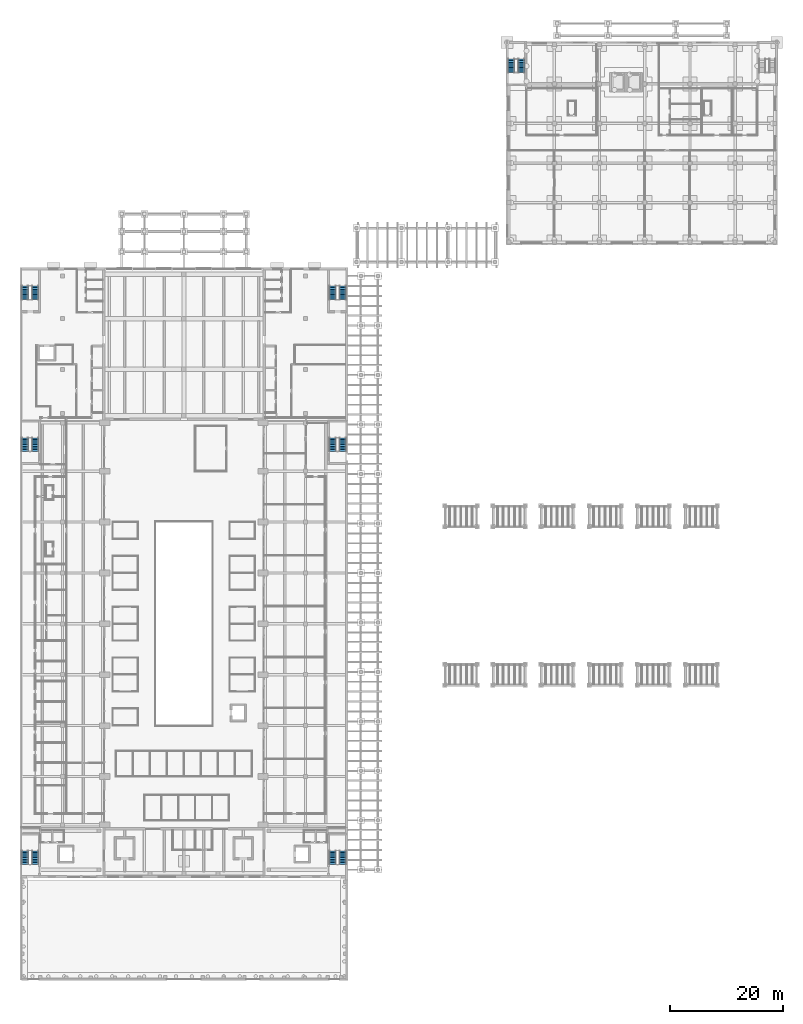
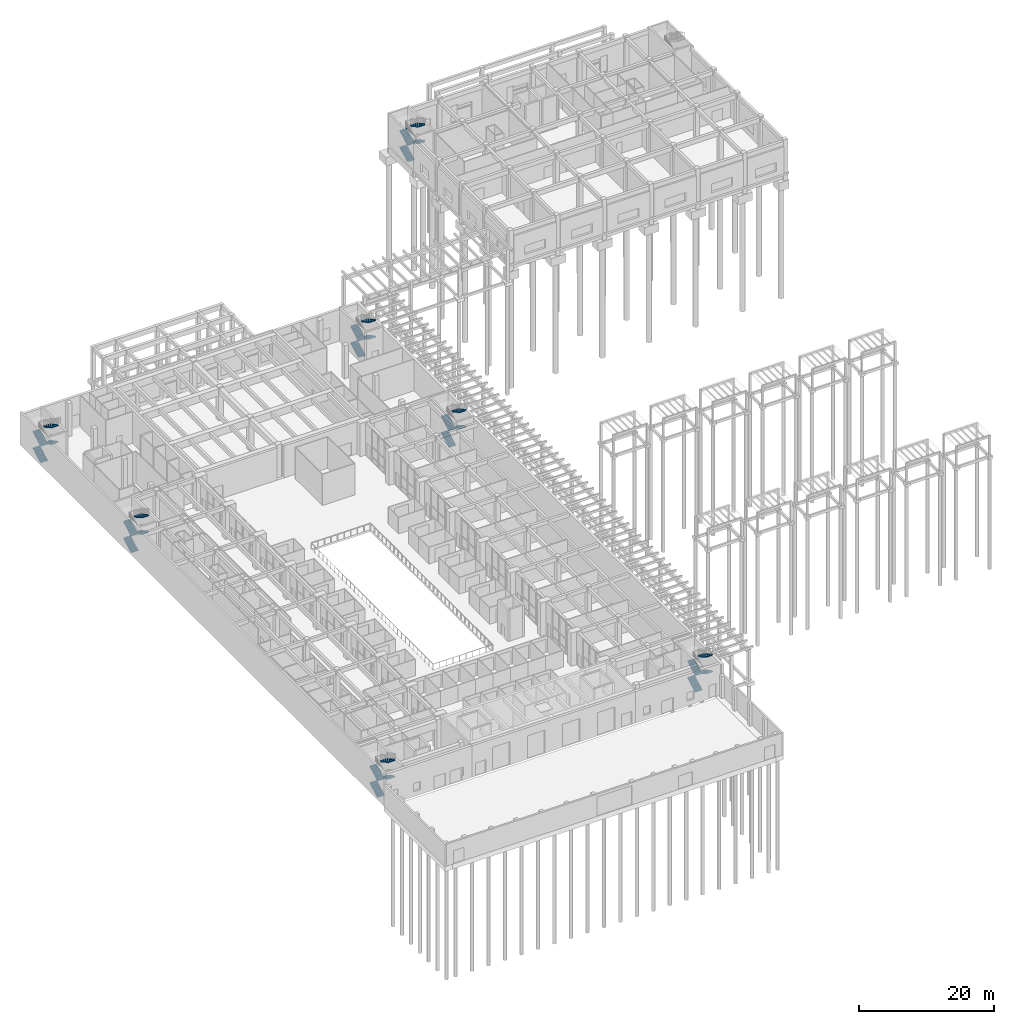
# One storey, part 44 of 51: 28 stair flights, 7 elements without a shape of their own.
"""IFC4 building model written with IfcOpenShell, lengths in metres."""

from ifc_helpers import new_model, si_unit, direction, frame, origin, place, context, subcontext, project, spatial, polyline, outline, extrude, material, type_object, element, aggregate, save


model = new_model("IFC4")

# Units and contexts
model_context = context("Model", 3, precision=1e-05, world=origin(), true_north=direction((0.0, 1.0)))
body_context = subcontext(model_context, "Body", "Model", "MODEL_VIEW")
ifc_project = project(units=[si_unit("LENGTHUNIT", "METRE"), si_unit("AREAUNIT", "SQUARE_METRE"), si_unit("VOLUMEUNIT", "CUBIC_METRE"), si_unit("PLANEANGLEUNIT", "RADIAN"), si_unit("MASSUNIT", "GRAM", prefix="KILO")], contexts=[model_context])

# Site, building, storey
site_placement = place(None, origin())
site = spatial("IfcSite", under=ifc_project, at=site_placement, CompositionType="ELEMENT")
building_placement = place(site_placement, origin())
building = spatial("IfcBuilding", under=site, at=building_placement, Name="Elmora Arch Market Hall", CompositionType="ELEMENT")
storey_placement = place(building_placement, origin())
storey = spatial("IfcBuildingStorey", under=building, at=storey_placement, Name="L00", CompositionType="ELEMENT", Elevation=0.0)

# Stair, stair flights
ifc_material_1 = material(Name="Concrete C40/50", Category="concrete")
stair_type = type_object("IfcStairType", Name="Exit stair 1200", PredefinedType="TWO_STRAIGHT_RUN_STAIR", material=ifc_material_1)
stair_1_placement = place(storey_placement, origin())
stair_1 = element("IfcStair", 1, at=stair_1_placement, inside=storey, type_object=stair_type, Name="Stair ST-W L00", PredefinedType="TWO_STRAIGHT_RUN_STAIR")
ifc_material_2 = material(Name="Concrete C40/50", Category="concrete")
stair_flight_type = type_object("IfcStairFlightType", Name="Stair flight 1200", PredefinedType="STRAIGHT", material=ifc_material_2)
stair_flight_1_placement = place(storey_placement, frame((0.89990234375, 120.35009765625, 0.0), z_axis=(0.0, 0.0, 1.0), x_axis=(0.0, 1.0, 0.0)))
stair_flight_1 = element("IfcStairFlight", 2, at=stair_flight_1_placement, type_object=stair_flight_type, Name="Stair ST-W L00 flight 1", NumberOfRisers=9, NumberOfTreads=8, PredefinedType="STRAIGHT", RiserHeight=0.166666667, TreadLength=0.3, context=body_context, shape_type="SweptSolid", body=[
    extrude(outline(polyline([(0.0, 0.0), (0.0, 0.166748046875), (0.300048828125, 0.166748046875), (0.300048828125, 0.333251953125), (0.60009765625, 0.333251953125), (0.60009765625, 0.5), (0.89990234375, 0.5), (0.89990234375, 0.666748046875), (1.199951171875, 0.666748046875), (1.199951171875, 0.833251953125), (1.5, 0.833251953125), (1.5, 1.0), (1.800048828125, 1.0), (1.800048828125, 1.166748046875), (2.10009765625, 1.166748046875), (2.10009765625, 1.333251953125), (2.39990234375, 1.333251953125), (2.39990234375, 1.5), (2.39990234375, 1.161865234375), (0.30859375, 0.0), (0.0, 0.0)])), frame((0.0, 0.60009765625, 0.0), z_axis=(0.0, -1.0, 0.0), x_axis=(1.0, 0.0, 0.0)), (0.0, 0.0, 1.0), 1.199951171875),
])
stair_flight_2_placement = place(storey_placement, frame((2.699951171875, 122.75, 1.5), z_axis=(0.0, 0.0, 1.0), x_axis=(0.0, -1.0, 0.0)))
stair_flight_2 = element("IfcStairFlight", 3, at=stair_flight_2_placement, type_object=stair_flight_type, Name="Stair ST-W L00 flight 2", NumberOfRisers=9, NumberOfTreads=8, PredefinedType="STRAIGHT", RiserHeight=0.166666667, TreadLength=0.3, context=body_context, shape_type="SweptSolid", body=[
    extrude(outline(polyline([(0.0, 0.0), (0.0, 0.166748046875), (0.300048828125, 0.166748046875), (0.300048828125, 0.333251953125), (0.60009765625, 0.333251953125), (0.60009765625, 0.5), (0.89990234375, 0.5), (0.89990234375, 0.666748046875), (1.199951171875, 0.666748046875), (1.199951171875, 0.833251953125), (1.5, 0.833251953125), (1.5, 1.0), (1.800048828125, 1.0), (1.800048828125, 1.166748046875), (2.10009765625, 1.166748046875), (2.10009765625, 1.333251953125), (2.39990234375, 1.333251953125), (2.39990234375, 1.5), (2.39990234375, 1.161865234375), (0.30859375, 0.0), (0.0, 0.0)])), frame((0.0, 0.60009765625, 0.0), z_axis=(0.0, -1.0, 0.0), x_axis=(1.0, 0.0, 0.0)), (0.0, 0.0, 1.0), 1.199951171875),
])
stair_flight_3_placement = place(storey_placement, frame((0.89990234375, 120.35009765625, 3.0), z_axis=(0.0, 0.0, 1.0), x_axis=(0.0, 1.0, 0.0)))
stair_flight_3 = element("IfcStairFlight", 4, at=stair_flight_3_placement, type_object=stair_flight_type, Name="Stair ST-W L00 flight 3", NumberOfRisers=9, NumberOfTreads=8, PredefinedType="STRAIGHT", RiserHeight=0.166666667, TreadLength=0.3, context=body_context, shape_type="SweptSolid", body=[
    extrude(outline(polyline([(0.0, 0.0), (0.0, 0.166748046875), (0.300048828125, 0.166748046875), (0.300048828125, 0.333251953125), (0.60009765625, 0.333251953125), (0.60009765625, 0.5), (0.89990234375, 0.5), (0.89990234375, 0.666748046875), (1.199951171875, 0.666748046875), (1.199951171875, 0.833251953125), (1.5, 0.833251953125), (1.5, 1.0), (1.800048828125, 1.0), (1.800048828125, 1.166748046875), (2.10009765625, 1.166748046875), (2.10009765625, 1.333251953125), (2.39990234375, 1.333251953125), (2.39990234375, 1.5), (2.39990234375, 1.161865234375), (0.30859375, 0.0), (0.0, 0.0)])), frame((0.0, 0.60009765625, 0.0), z_axis=(0.0, -1.0, 0.0), x_axis=(1.0, 0.0, 0.0)), (0.0, 0.0, 1.0), 1.199951171875),
])
stair_flight_4_placement = place(storey_placement, frame((2.699951171875, 122.75, 4.5), z_axis=(0.0, 0.0, 1.0), x_axis=(0.0, -1.0, 0.0)))
stair_flight_4 = element("IfcStairFlight", 5, at=stair_flight_4_placement, type_object=stair_flight_type, Name="Stair ST-W L00 flight 4", NumberOfRisers=9, NumberOfTreads=8, PredefinedType="STRAIGHT", RiserHeight=0.166666667, TreadLength=0.3, context=body_context, shape_type="SweptSolid", body=[
    extrude(outline(polyline([(0.0, 0.0), (0.0, 0.166748046875), (0.300048828125, 0.166748046875), (0.300048828125, 0.333251953125), (0.60009765625, 0.333251953125), (0.60009765625, 0.5), (0.89990234375, 0.5), (0.89990234375, 0.666748046875), (1.199951171875, 0.666748046875), (1.199951171875, 0.833251953125), (1.5, 0.833251953125), (1.5, 1.0), (1.800048828125, 1.0), (1.800048828125, 1.166748046875), (2.10009765625, 1.166748046875), (2.10009765625, 1.333251953125), (2.39990234375, 1.333251953125), (2.39990234375, 1.5), (2.39990234375, 1.161865234375), (0.30859375, 0.0), (0.0, 0.0)])), frame((0.0, 0.60009765625, 0.0), z_axis=(0.0, -1.0, 0.0), x_axis=(1.0, 0.0, 0.0)), (0.0, 0.0, 1.0), 1.199951171875),
])
aggregate(stair_1, [stair_flight_1, stair_flight_2, stair_flight_3, stair_flight_4])

stair_2_placement = place(storey_placement, origin())
stair_2 = element("IfcStair", 6, at=stair_2_placement, inside=storey, type_object=stair_type, Name="Stair ST-E L00", PredefinedType="TWO_STRAIGHT_RUN_STAIR")
stair_flight_5_placement = place(storey_placement, frame((55.300048828125, 120.35009765625, 0.0), z_axis=(0.0, 0.0, 1.0), x_axis=(0.0, 1.0, 0.0)))
stair_flight_5 = element("IfcStairFlight", 7, at=stair_flight_5_placement, type_object=stair_flight_type, Name="Stair ST-E L00 flight 1", NumberOfRisers=9, NumberOfTreads=8, PredefinedType="STRAIGHT", RiserHeight=0.166666667, TreadLength=0.3, context=body_context, shape_type="SweptSolid", body=[
    extrude(outline(polyline([(0.0, 0.0), (0.0, 0.166748046875), (0.300048828125, 0.166748046875), (0.300048828125, 0.333251953125), (0.60009765625, 0.333251953125), (0.60009765625, 0.5), (0.89990234375, 0.5), (0.89990234375, 0.666748046875), (1.199951171875, 0.666748046875), (1.199951171875, 0.833251953125), (1.5, 0.833251953125), (1.5, 1.0), (1.800048828125, 1.0), (1.800048828125, 1.166748046875), (2.10009765625, 1.166748046875), (2.10009765625, 1.333251953125), (2.39990234375, 1.333251953125), (2.39990234375, 1.5), (2.39990234375, 1.161865234375), (0.30859375, 0.0), (0.0, 0.0)])), frame((0.0, 0.60009765625, 0.0), z_axis=(0.0, -1.0, 0.0), x_axis=(1.0, 0.0, 0.0)), (0.0, 0.0, 1.0), 1.199951171875),
])
stair_flight_6_placement = place(storey_placement, frame((57.10009765625, 122.75, 1.5), z_axis=(0.0, 0.0, 1.0), x_axis=(0.0, -1.0, 0.0)))
stair_flight_6 = element("IfcStairFlight", 8, at=stair_flight_6_placement, type_object=stair_flight_type, Name="Stair ST-E L00 flight 2", NumberOfRisers=9, NumberOfTreads=8, PredefinedType="STRAIGHT", RiserHeight=0.166666667, TreadLength=0.3, context=body_context, shape_type="SweptSolid", body=[
    extrude(outline(polyline([(0.0, 0.0), (0.0, 0.166748046875), (0.300048828125, 0.166748046875), (0.300048828125, 0.333251953125), (0.60009765625, 0.333251953125), (0.60009765625, 0.5), (0.89990234375, 0.5), (0.89990234375, 0.666748046875), (1.199951171875, 0.666748046875), (1.199951171875, 0.833251953125), (1.5, 0.833251953125), (1.5, 1.0), (1.800048828125, 1.0), (1.800048828125, 1.166748046875), (2.10009765625, 1.166748046875), (2.10009765625, 1.333251953125), (2.39990234375, 1.333251953125), (2.39990234375, 1.5), (2.39990234375, 1.161865234375), (0.30859375, 0.0), (0.0, 0.0)])), frame((0.0, 0.60009765625, 0.0), z_axis=(0.0, -1.0, 0.0), x_axis=(1.0, 0.0, 0.0)), (0.0, 0.0, 1.0), 1.199951171875),
])
stair_flight_7_placement = place(storey_placement, frame((55.300048828125, 120.35009765625, 3.0), z_axis=(0.0, 0.0, 1.0), x_axis=(0.0, 1.0, 0.0)))
stair_flight_7 = element("IfcStairFlight", 9, at=stair_flight_7_placement, type_object=stair_flight_type, Name="Stair ST-E L00 flight 3", NumberOfRisers=9, NumberOfTreads=8, PredefinedType="STRAIGHT", RiserHeight=0.166666667, TreadLength=0.3, context=body_context, shape_type="SweptSolid", body=[
    extrude(outline(polyline([(0.0, 0.0), (0.0, 0.166748046875), (0.300048828125, 0.166748046875), (0.300048828125, 0.333251953125), (0.60009765625, 0.333251953125), (0.60009765625, 0.5), (0.89990234375, 0.5), (0.89990234375, 0.666748046875), (1.199951171875, 0.666748046875), (1.199951171875, 0.833251953125), (1.5, 0.833251953125), (1.5, 1.0), (1.800048828125, 1.0), (1.800048828125, 1.166748046875), (2.10009765625, 1.166748046875), (2.10009765625, 1.333251953125), (2.39990234375, 1.333251953125), (2.39990234375, 1.5), (2.39990234375, 1.161865234375), (0.30859375, 0.0), (0.0, 0.0)])), frame((0.0, 0.60009765625, 0.0), z_axis=(0.0, -1.0, 0.0), x_axis=(1.0, 0.0, 0.0)), (0.0, 0.0, 1.0), 1.199951171875),
])
stair_flight_8_placement = place(storey_placement, frame((57.10009765625, 122.75, 4.5), z_axis=(0.0, 0.0, 1.0), x_axis=(0.0, -1.0, 0.0)))
stair_flight_8 = element("IfcStairFlight", 10, at=stair_flight_8_placement, type_object=stair_flight_type, Name="Stair ST-E L00 flight 4", NumberOfRisers=9, NumberOfTreads=8, PredefinedType="STRAIGHT", RiserHeight=0.166666667, TreadLength=0.3, context=body_context, shape_type="SweptSolid", body=[
    extrude(outline(polyline([(0.0, 0.0), (0.0, 0.166748046875), (0.300048828125, 0.166748046875), (0.300048828125, 0.333251953125), (0.60009765625, 0.333251953125), (0.60009765625, 0.5), (0.89990234375, 0.5), (0.89990234375, 0.666748046875), (1.199951171875, 0.666748046875), (1.199951171875, 0.833251953125), (1.5, 0.833251953125), (1.5, 1.0), (1.800048828125, 1.0), (1.800048828125, 1.166748046875), (2.10009765625, 1.166748046875), (2.10009765625, 1.333251953125), (2.39990234375, 1.333251953125), (2.39990234375, 1.5), (2.39990234375, 1.161865234375), (0.30859375, 0.0), (0.0, 0.0)])), frame((0.0, 0.60009765625, 0.0), z_axis=(0.0, -1.0, 0.0), x_axis=(1.0, 0.0, 0.0)), (0.0, 0.0, 1.0), 1.199951171875),
])
aggregate(stair_2, [stair_flight_5, stair_flight_6, stair_flight_7, stair_flight_8])

stair_3_placement = place(storey_placement, origin())
stair_3 = element("IfcStair", 11, at=stair_3_placement, inside=storey, type_object=stair_type, Name="Stair ST-WS L00", PredefinedType="TWO_STRAIGHT_RUN_STAIR")
stair_flight_9_placement = place(storey_placement, frame((0.89990234375, 20.449951171875, 0.0), z_axis=(0.0, 0.0, 1.0), x_axis=(0.0, 1.0, 0.0)))
stair_flight_9 = element("IfcStairFlight", 12, at=stair_flight_9_placement, type_object=stair_flight_type, Name="Stair ST-WS L00 flight 1", NumberOfRisers=9, NumberOfTreads=8, PredefinedType="STRAIGHT", RiserHeight=0.166666667, TreadLength=0.3, context=body_context, shape_type="SweptSolid", body=[
    extrude(outline(polyline([(0.0, 0.0), (0.0, 0.166748046875), (0.300048828125, 0.166748046875), (0.300048828125, 0.333251953125), (0.60009765625, 0.333251953125), (0.60009765625, 0.5), (0.89990234375, 0.5), (0.89990234375, 0.666748046875), (1.199951171875, 0.666748046875), (1.199951171875, 0.833251953125), (1.5, 0.833251953125), (1.5, 1.0), (1.800048828125, 1.0), (1.800048828125, 1.166748046875), (2.10009765625, 1.166748046875), (2.10009765625, 1.333251953125), (2.39990234375, 1.333251953125), (2.39990234375, 1.5), (2.39990234375, 1.161865234375), (0.30859375, 0.0), (0.0, 0.0)])), frame((0.0, 0.60009765625, 0.0), z_axis=(0.0, -1.0, 0.0), x_axis=(1.0, 0.0, 0.0)), (0.0, 0.0, 1.0), 1.199951171875),
])
stair_flight_10_placement = place(storey_placement, frame((2.699951171875, 22.85009765625, 1.5), z_axis=(0.0, 0.0, 1.0), x_axis=(0.0, -1.0, 0.0)))
stair_flight_10 = element("IfcStairFlight", 13, at=stair_flight_10_placement, type_object=stair_flight_type, Name="Stair ST-WS L00 flight 2", NumberOfRisers=9, NumberOfTreads=8, PredefinedType="STRAIGHT", RiserHeight=0.166666667, TreadLength=0.3, context=body_context, shape_type="SweptSolid", body=[
    extrude(outline(polyline([(0.0, 0.0), (0.0, 0.166748046875), (0.300048828125, 0.166748046875), (0.300048828125, 0.333251953125), (0.60009765625, 0.333251953125), (0.60009765625, 0.5), (0.89990234375, 0.5), (0.89990234375, 0.666748046875), (1.199951171875, 0.666748046875), (1.199951171875, 0.833251953125), (1.5, 0.833251953125), (1.5, 1.0), (1.800048828125, 1.0), (1.800048828125, 1.166748046875), (2.10009765625, 1.166748046875), (2.10009765625, 1.333251953125), (2.39990234375, 1.333251953125), (2.39990234375, 1.5), (2.39990234375, 1.161865234375), (0.30859375, 0.0), (0.0, 0.0)])), frame((0.0, 0.60009765625, 0.0), z_axis=(0.0, -1.0, 0.0), x_axis=(1.0, 0.0, 0.0)), (0.0, 0.0, 1.0), 1.199951171875),
])
stair_flight_11_placement = place(storey_placement, frame((0.89990234375, 20.449951171875, 3.0), z_axis=(0.0, 0.0, 1.0), x_axis=(0.0, 1.0, 0.0)))
stair_flight_11 = element("IfcStairFlight", 14, at=stair_flight_11_placement, type_object=stair_flight_type, Name="Stair ST-WS L00 flight 3", NumberOfRisers=9, NumberOfTreads=8, PredefinedType="STRAIGHT", RiserHeight=0.166666667, TreadLength=0.3, context=body_context, shape_type="SweptSolid", body=[
    extrude(outline(polyline([(0.0, 0.0), (0.0, 0.166748046875), (0.300048828125, 0.166748046875), (0.300048828125, 0.333251953125), (0.60009765625, 0.333251953125), (0.60009765625, 0.5), (0.89990234375, 0.5), (0.89990234375, 0.666748046875), (1.199951171875, 0.666748046875), (1.199951171875, 0.833251953125), (1.5, 0.833251953125), (1.5, 1.0), (1.800048828125, 1.0), (1.800048828125, 1.166748046875), (2.10009765625, 1.166748046875), (2.10009765625, 1.333251953125), (2.39990234375, 1.333251953125), (2.39990234375, 1.5), (2.39990234375, 1.161865234375), (0.30859375, 0.0), (0.0, 0.0)])), frame((0.0, 0.60009765625, 0.0), z_axis=(0.0, -1.0, 0.0), x_axis=(1.0, 0.0, 0.0)), (0.0, 0.0, 1.0), 1.199951171875),
])
stair_flight_12_placement = place(storey_placement, frame((2.699951171875, 22.85009765625, 4.5), z_axis=(0.0, 0.0, 1.0), x_axis=(0.0, -1.0, 0.0)))
stair_flight_12 = element("IfcStairFlight", 15, at=stair_flight_12_placement, type_object=stair_flight_type, Name="Stair ST-WS L00 flight 4", NumberOfRisers=9, NumberOfTreads=8, PredefinedType="STRAIGHT", RiserHeight=0.166666667, TreadLength=0.3, context=body_context, shape_type="SweptSolid", body=[
    extrude(outline(polyline([(0.0, 0.0), (0.0, 0.166748046875), (0.300048828125, 0.166748046875), (0.300048828125, 0.333251953125), (0.60009765625, 0.333251953125), (0.60009765625, 0.5), (0.89990234375, 0.5), (0.89990234375, 0.666748046875), (1.199951171875, 0.666748046875), (1.199951171875, 0.833251953125), (1.5, 0.833251953125), (1.5, 1.0), (1.800048828125, 1.0), (1.800048828125, 1.166748046875), (2.10009765625, 1.166748046875), (2.10009765625, 1.333251953125), (2.39990234375, 1.333251953125), (2.39990234375, 1.5), (2.39990234375, 1.161865234375), (0.30859375, 0.0), (0.0, 0.0)])), frame((0.0, 0.60009765625, 0.0), z_axis=(0.0, -1.0, 0.0), x_axis=(1.0, 0.0, 0.0)), (0.0, 0.0, 1.0), 1.199951171875),
])
aggregate(stair_3, [stair_flight_9, stair_flight_10, stair_flight_11, stair_flight_12])

stair_4_placement = place(storey_placement, origin())
stair_4 = element("IfcStair", 16, at=stair_4_placement, inside=storey, type_object=stair_type, Name="Stair ST-ES L00", PredefinedType="TWO_STRAIGHT_RUN_STAIR")
stair_flight_13_placement = place(storey_placement, frame((55.300048828125, 20.449951171875, 0.0), z_axis=(0.0, 0.0, 1.0), x_axis=(0.0, 1.0, 0.0)))
stair_flight_13 = element("IfcStairFlight", 17, at=stair_flight_13_placement, type_object=stair_flight_type, Name="Stair ST-ES L00 flight 1", NumberOfRisers=9, NumberOfTreads=8, PredefinedType="STRAIGHT", RiserHeight=0.166666667, TreadLength=0.3, context=body_context, shape_type="SweptSolid", body=[
    extrude(outline(polyline([(0.0, 0.0), (0.0, 0.166748046875), (0.300048828125, 0.166748046875), (0.300048828125, 0.333251953125), (0.60009765625, 0.333251953125), (0.60009765625, 0.5), (0.89990234375, 0.5), (0.89990234375, 0.666748046875), (1.199951171875, 0.666748046875), (1.199951171875, 0.833251953125), (1.5, 0.833251953125), (1.5, 1.0), (1.800048828125, 1.0), (1.800048828125, 1.166748046875), (2.10009765625, 1.166748046875), (2.10009765625, 1.333251953125), (2.39990234375, 1.333251953125), (2.39990234375, 1.5), (2.39990234375, 1.161865234375), (0.30859375, 0.0), (0.0, 0.0)])), frame((0.0, 0.60009765625, 0.0), z_axis=(0.0, -1.0, 0.0), x_axis=(1.0, 0.0, 0.0)), (0.0, 0.0, 1.0), 1.199951171875),
])
stair_flight_14_placement = place(storey_placement, frame((57.10009765625, 22.85009765625, 1.5), z_axis=(0.0, 0.0, 1.0), x_axis=(0.0, -1.0, 0.0)))
stair_flight_14 = element("IfcStairFlight", 18, at=stair_flight_14_placement, type_object=stair_flight_type, Name="Stair ST-ES L00 flight 2", NumberOfRisers=9, NumberOfTreads=8, PredefinedType="STRAIGHT", RiserHeight=0.166666667, TreadLength=0.3, context=body_context, shape_type="SweptSolid", body=[
    extrude(outline(polyline([(0.0, 0.0), (0.0, 0.166748046875), (0.300048828125, 0.166748046875), (0.300048828125, 0.333251953125), (0.60009765625, 0.333251953125), (0.60009765625, 0.5), (0.89990234375, 0.5), (0.89990234375, 0.666748046875), (1.199951171875, 0.666748046875), (1.199951171875, 0.833251953125), (1.5, 0.833251953125), (1.5, 1.0), (1.800048828125, 1.0), (1.800048828125, 1.166748046875), (2.10009765625, 1.166748046875), (2.10009765625, 1.333251953125), (2.39990234375, 1.333251953125), (2.39990234375, 1.5), (2.39990234375, 1.161865234375), (0.30859375, 0.0), (0.0, 0.0)])), frame((0.0, 0.60009765625, 0.0), z_axis=(0.0, -1.0, 0.0), x_axis=(1.0, 0.0, 0.0)), (0.0, 0.0, 1.0), 1.199951171875),
])
stair_flight_15_placement = place(storey_placement, frame((55.300048828125, 20.449951171875, 3.0), z_axis=(0.0, 0.0, 1.0), x_axis=(0.0, 1.0, 0.0)))
stair_flight_15 = element("IfcStairFlight", 19, at=stair_flight_15_placement, type_object=stair_flight_type, Name="Stair ST-ES L00 flight 3", NumberOfRisers=9, NumberOfTreads=8, PredefinedType="STRAIGHT", RiserHeight=0.166666667, TreadLength=0.3, context=body_context, shape_type="SweptSolid", body=[
    extrude(outline(polyline([(0.0, 0.0), (0.0, 0.166748046875), (0.300048828125, 0.166748046875), (0.300048828125, 0.333251953125), (0.60009765625, 0.333251953125), (0.60009765625, 0.5), (0.89990234375, 0.5), (0.89990234375, 0.666748046875), (1.199951171875, 0.666748046875), (1.199951171875, 0.833251953125), (1.5, 0.833251953125), (1.5, 1.0), (1.800048828125, 1.0), (1.800048828125, 1.166748046875), (2.10009765625, 1.166748046875), (2.10009765625, 1.333251953125), (2.39990234375, 1.333251953125), (2.39990234375, 1.5), (2.39990234375, 1.161865234375), (0.30859375, 0.0), (0.0, 0.0)])), frame((0.0, 0.60009765625, 0.0), z_axis=(0.0, -1.0, 0.0), x_axis=(1.0, 0.0, 0.0)), (0.0, 0.0, 1.0), 1.199951171875),
])
stair_flight_16_placement = place(storey_placement, frame((57.10009765625, 22.85009765625, 4.5), z_axis=(0.0, 0.0, 1.0), x_axis=(0.0, -1.0, 0.0)))
stair_flight_16 = element("IfcStairFlight", 20, at=stair_flight_16_placement, type_object=stair_flight_type, Name="Stair ST-ES L00 flight 4", NumberOfRisers=9, NumberOfTreads=8, PredefinedType="STRAIGHT", RiserHeight=0.166666667, TreadLength=0.3, context=body_context, shape_type="SweptSolid", body=[
    extrude(outline(polyline([(0.0, 0.0), (0.0, 0.166748046875), (0.300048828125, 0.166748046875), (0.300048828125, 0.333251953125), (0.60009765625, 0.333251953125), (0.60009765625, 0.5), (0.89990234375, 0.5), (0.89990234375, 0.666748046875), (1.199951171875, 0.666748046875), (1.199951171875, 0.833251953125), (1.5, 0.833251953125), (1.5, 1.0), (1.800048828125, 1.0), (1.800048828125, 1.166748046875), (2.10009765625, 1.166748046875), (2.10009765625, 1.333251953125), (2.39990234375, 1.333251953125), (2.39990234375, 1.5), (2.39990234375, 1.161865234375), (0.30859375, 0.0), (0.0, 0.0)])), frame((0.0, 0.60009765625, 0.0), z_axis=(0.0, -1.0, 0.0), x_axis=(1.0, 0.0, 0.0)), (0.0, 0.0, 1.0), 1.199951171875),
])
aggregate(stair_4, [stair_flight_13, stair_flight_14, stair_flight_15, stair_flight_16])

stair_5_placement = place(storey_placement, origin())
stair_5 = element("IfcStair", 21, at=stair_5_placement, inside=storey, type_object=stair_type, Name="Stair ST-EN L00", PredefinedType="TWO_STRAIGHT_RUN_STAIR")
stair_flight_17_placement = place(storey_placement, frame((55.300048828125, 93.5, 0.0), z_axis=(0.0, 0.0, 1.0), x_axis=(0.0, 1.0, 0.0)))
stair_flight_17 = element("IfcStairFlight", 22, at=stair_flight_17_placement, type_object=stair_flight_type, Name="Stair ST-EN L00 flight 1", NumberOfRisers=9, NumberOfTreads=8, PredefinedType="STRAIGHT", RiserHeight=0.166666667, TreadLength=0.3, context=body_context, shape_type="SweptSolid", body=[
    extrude(outline(polyline([(0.0, 0.0), (0.0, 0.166748046875), (0.300048828125, 0.166748046875), (0.300048828125, 0.333251953125), (0.60009765625, 0.333251953125), (0.60009765625, 0.5), (0.89990234375, 0.5), (0.89990234375, 0.666748046875), (1.199951171875, 0.666748046875), (1.199951171875, 0.833251953125), (1.5, 0.833251953125), (1.5, 1.0), (1.800048828125, 1.0), (1.800048828125, 1.166748046875), (2.10009765625, 1.166748046875), (2.10009765625, 1.333251953125), (2.39990234375, 1.333251953125), (2.39990234375, 1.5), (2.39990234375, 1.161865234375), (0.30859375, 0.0), (0.0, 0.0)])), frame((0.0, 0.60009765625, 0.0), z_axis=(0.0, -1.0, 0.0), x_axis=(1.0, 0.0, 0.0)), (0.0, 0.0, 1.0), 1.199951171875),
])
stair_flight_18_placement = place(storey_placement, frame((57.10009765625, 95.89990234375, 1.5), z_axis=(0.0, 0.0, 1.0), x_axis=(0.0, -1.0, 0.0)))
stair_flight_18 = element("IfcStairFlight", 23, at=stair_flight_18_placement, type_object=stair_flight_type, Name="Stair ST-EN L00 flight 2", NumberOfRisers=9, NumberOfTreads=8, PredefinedType="STRAIGHT", RiserHeight=0.166666667, TreadLength=0.3, context=body_context, shape_type="SweptSolid", body=[
    extrude(outline(polyline([(0.0, 0.0), (0.0, 0.166748046875), (0.300048828125, 0.166748046875), (0.300048828125, 0.333251953125), (0.60009765625, 0.333251953125), (0.60009765625, 0.5), (0.89990234375, 0.5), (0.89990234375, 0.666748046875), (1.199951171875, 0.666748046875), (1.199951171875, 0.833251953125), (1.5, 0.833251953125), (1.5, 1.0), (1.800048828125, 1.0), (1.800048828125, 1.166748046875), (2.10009765625, 1.166748046875), (2.10009765625, 1.333251953125), (2.39990234375, 1.333251953125), (2.39990234375, 1.5), (2.39990234375, 1.161865234375), (0.30859375, 0.0), (0.0, 0.0)])), frame((0.0, 0.60009765625, 0.0), z_axis=(0.0, -1.0, 0.0), x_axis=(1.0, 0.0, 0.0)), (0.0, 0.0, 1.0), 1.199951171875),
])
stair_flight_19_placement = place(storey_placement, frame((55.300048828125, 93.5, 3.0), z_axis=(0.0, 0.0, 1.0), x_axis=(0.0, 1.0, 0.0)))
stair_flight_19 = element("IfcStairFlight", 24, at=stair_flight_19_placement, type_object=stair_flight_type, Name="Stair ST-EN L00 flight 3", NumberOfRisers=9, NumberOfTreads=8, PredefinedType="STRAIGHT", RiserHeight=0.166666667, TreadLength=0.3, context=body_context, shape_type="SweptSolid", body=[
    extrude(outline(polyline([(0.0, 0.0), (0.0, 0.166748046875), (0.300048828125, 0.166748046875), (0.300048828125, 0.333251953125), (0.60009765625, 0.333251953125), (0.60009765625, 0.5), (0.89990234375, 0.5), (0.89990234375, 0.666748046875), (1.199951171875, 0.666748046875), (1.199951171875, 0.833251953125), (1.5, 0.833251953125), (1.5, 1.0), (1.800048828125, 1.0), (1.800048828125, 1.166748046875), (2.10009765625, 1.166748046875), (2.10009765625, 1.333251953125), (2.39990234375, 1.333251953125), (2.39990234375, 1.5), (2.39990234375, 1.161865234375), (0.30859375, 0.0), (0.0, 0.0)])), frame((0.0, 0.60009765625, 0.0), z_axis=(0.0, -1.0, 0.0), x_axis=(1.0, 0.0, 0.0)), (0.0, 0.0, 1.0), 1.199951171875),
])
stair_flight_20_placement = place(storey_placement, frame((57.10009765625, 95.89990234375, 4.5), z_axis=(0.0, 0.0, 1.0), x_axis=(0.0, -1.0, 0.0)))
stair_flight_20 = element("IfcStairFlight", 25, at=stair_flight_20_placement, type_object=stair_flight_type, Name="Stair ST-EN L00 flight 4", NumberOfRisers=9, NumberOfTreads=8, PredefinedType="STRAIGHT", RiserHeight=0.166666667, TreadLength=0.3, context=body_context, shape_type="SweptSolid", body=[
    extrude(outline(polyline([(0.0, 0.0), (0.0, 0.166748046875), (0.300048828125, 0.166748046875), (0.300048828125, 0.333251953125), (0.60009765625, 0.333251953125), (0.60009765625, 0.5), (0.89990234375, 0.5), (0.89990234375, 0.666748046875), (1.199951171875, 0.666748046875), (1.199951171875, 0.833251953125), (1.5, 0.833251953125), (1.5, 1.0), (1.800048828125, 1.0), (1.800048828125, 1.166748046875), (2.10009765625, 1.166748046875), (2.10009765625, 1.333251953125), (2.39990234375, 1.333251953125), (2.39990234375, 1.5), (2.39990234375, 1.161865234375), (0.30859375, 0.0), (0.0, 0.0)])), frame((0.0, 0.60009765625, 0.0), z_axis=(0.0, -1.0, 0.0), x_axis=(1.0, 0.0, 0.0)), (0.0, 0.0, 1.0), 1.199951171875),
])
aggregate(stair_5, [stair_flight_17, stair_flight_18, stair_flight_19, stair_flight_20])

stair_6_placement = place(storey_placement, origin())
stair_6 = element("IfcStair", 26, at=stair_6_placement, inside=storey, type_object=stair_type, Name="Stair ST-WN L00", PredefinedType="TWO_STRAIGHT_RUN_STAIR")
stair_flight_21_placement = place(storey_placement, frame((0.89990234375, 93.5, 0.0), z_axis=(0.0, 0.0, 1.0), x_axis=(0.0, 1.0, 0.0)))
stair_flight_21 = element("IfcStairFlight", 27, at=stair_flight_21_placement, type_object=stair_flight_type, Name="Stair ST-WN L00 flight 1", NumberOfRisers=9, NumberOfTreads=8, PredefinedType="STRAIGHT", RiserHeight=0.166666667, TreadLength=0.3, context=body_context, shape_type="SweptSolid", body=[
    extrude(outline(polyline([(0.0, 0.0), (0.0, 0.166748046875), (0.300048828125, 0.166748046875), (0.300048828125, 0.333251953125), (0.60009765625, 0.333251953125), (0.60009765625, 0.5), (0.89990234375, 0.5), (0.89990234375, 0.666748046875), (1.199951171875, 0.666748046875), (1.199951171875, 0.833251953125), (1.5, 0.833251953125), (1.5, 1.0), (1.800048828125, 1.0), (1.800048828125, 1.166748046875), (2.10009765625, 1.166748046875), (2.10009765625, 1.333251953125), (2.39990234375, 1.333251953125), (2.39990234375, 1.5), (2.39990234375, 1.161865234375), (0.30859375, 0.0), (0.0, 0.0)])), frame((0.0, 0.60009765625, 0.0), z_axis=(0.0, -1.0, 0.0), x_axis=(1.0, 0.0, 0.0)), (0.0, 0.0, 1.0), 1.199951171875),
])
stair_flight_22_placement = place(storey_placement, frame((2.699951171875, 95.89990234375, 1.5), z_axis=(0.0, 0.0, 1.0), x_axis=(0.0, -1.0, 0.0)))
stair_flight_22 = element("IfcStairFlight", 28, at=stair_flight_22_placement, type_object=stair_flight_type, Name="Stair ST-WN L00 flight 2", NumberOfRisers=9, NumberOfTreads=8, PredefinedType="STRAIGHT", RiserHeight=0.166666667, TreadLength=0.3, context=body_context, shape_type="SweptSolid", body=[
    extrude(outline(polyline([(0.0, 0.0), (0.0, 0.166748046875), (0.300048828125, 0.166748046875), (0.300048828125, 0.333251953125), (0.60009765625, 0.333251953125), (0.60009765625, 0.5), (0.89990234375, 0.5), (0.89990234375, 0.666748046875), (1.199951171875, 0.666748046875), (1.199951171875, 0.833251953125), (1.5, 0.833251953125), (1.5, 1.0), (1.800048828125, 1.0), (1.800048828125, 1.166748046875), (2.10009765625, 1.166748046875), (2.10009765625, 1.333251953125), (2.39990234375, 1.333251953125), (2.39990234375, 1.5), (2.39990234375, 1.161865234375), (0.30859375, 0.0), (0.0, 0.0)])), frame((0.0, 0.60009765625, 0.0), z_axis=(0.0, -1.0, 0.0), x_axis=(1.0, 0.0, 0.0)), (0.0, 0.0, 1.0), 1.199951171875),
])
stair_flight_23_placement = place(storey_placement, frame((0.89990234375, 93.5, 3.0), z_axis=(0.0, 0.0, 1.0), x_axis=(0.0, 1.0, 0.0)))
stair_flight_23 = element("IfcStairFlight", 29, at=stair_flight_23_placement, type_object=stair_flight_type, Name="Stair ST-WN L00 flight 3", NumberOfRisers=9, NumberOfTreads=8, PredefinedType="STRAIGHT", RiserHeight=0.166666667, TreadLength=0.3, context=body_context, shape_type="SweptSolid", body=[
    extrude(outline(polyline([(0.0, 0.0), (0.0, 0.166748046875), (0.300048828125, 0.166748046875), (0.300048828125, 0.333251953125), (0.60009765625, 0.333251953125), (0.60009765625, 0.5), (0.89990234375, 0.5), (0.89990234375, 0.666748046875), (1.199951171875, 0.666748046875), (1.199951171875, 0.833251953125), (1.5, 0.833251953125), (1.5, 1.0), (1.800048828125, 1.0), (1.800048828125, 1.166748046875), (2.10009765625, 1.166748046875), (2.10009765625, 1.333251953125), (2.39990234375, 1.333251953125), (2.39990234375, 1.5), (2.39990234375, 1.161865234375), (0.30859375, 0.0), (0.0, 0.0)])), frame((0.0, 0.60009765625, 0.0), z_axis=(0.0, -1.0, 0.0), x_axis=(1.0, 0.0, 0.0)), (0.0, 0.0, 1.0), 1.199951171875),
])
stair_flight_24_placement = place(storey_placement, frame((2.699951171875, 95.89990234375, 4.5), z_axis=(0.0, 0.0, 1.0), x_axis=(0.0, -1.0, 0.0)))
stair_flight_24 = element("IfcStairFlight", 30, at=stair_flight_24_placement, type_object=stair_flight_type, Name="Stair ST-WN L00 flight 4", NumberOfRisers=9, NumberOfTreads=8, PredefinedType="STRAIGHT", RiserHeight=0.166666667, TreadLength=0.3, context=body_context, shape_type="SweptSolid", body=[
    extrude(outline(polyline([(0.0, 0.0), (0.0, 0.166748046875), (0.300048828125, 0.166748046875), (0.300048828125, 0.333251953125), (0.60009765625, 0.333251953125), (0.60009765625, 0.5), (0.89990234375, 0.5), (0.89990234375, 0.666748046875), (1.199951171875, 0.666748046875), (1.199951171875, 0.833251953125), (1.5, 0.833251953125), (1.5, 1.0), (1.800048828125, 1.0), (1.800048828125, 1.166748046875), (2.10009765625, 1.166748046875), (2.10009765625, 1.333251953125), (2.39990234375, 1.333251953125), (2.39990234375, 1.5), (2.39990234375, 1.161865234375), (0.30859375, 0.0), (0.0, 0.0)])), frame((0.0, 0.60009765625, 0.0), z_axis=(0.0, -1.0, 0.0), x_axis=(1.0, 0.0, 0.0)), (0.0, 0.0, 1.0), 1.199951171875),
])
aggregate(stair_6, [stair_flight_21, stair_flight_22, stair_flight_23, stair_flight_24])

stair_7_placement = place(storey_placement, origin())
stair_7 = element("IfcStair", 31, at=stair_7_placement, inside=storey, type_object=stair_type, Name="Stair ST-SCW L00", PredefinedType="TWO_STRAIGHT_RUN_STAIR")
stair_flight_25_placement = place(storey_placement, frame((86.89990234375, 160.5, 0.0), z_axis=(0.0, 0.0, 1.0), x_axis=(0.0, 1.0, 0.0)))
stair_flight_25 = element("IfcStairFlight", 32, at=stair_flight_25_placement, type_object=stair_flight_type, Name="Stair ST-SCW L00 flight 1", NumberOfRisers=9, NumberOfTreads=8, PredefinedType="STRAIGHT", RiserHeight=0.166666667, TreadLength=0.3, context=body_context, shape_type="SweptSolid", body=[
    extrude(outline(polyline([(0.0, 0.0), (0.0, 0.166748046875), (0.300048828125, 0.166748046875), (0.300048828125, 0.333251953125), (0.60009765625, 0.333251953125), (0.60009765625, 0.5), (0.89990234375, 0.5), (0.89990234375, 0.666748046875), (1.199951171875, 0.666748046875), (1.199951171875, 0.833251953125), (1.5, 0.833251953125), (1.5, 1.0), (1.800048828125, 1.0), (1.800048828125, 1.166748046875), (2.10009765625, 1.166748046875), (2.10009765625, 1.333251953125), (2.39990234375, 1.333251953125), (2.39990234375, 1.5), (2.39990234375, 1.161865234375), (0.30859375, 0.0), (0.0, 0.0)])), frame((0.0, 0.60009765625, 0.0), z_axis=(0.0, -1.0, 0.0), x_axis=(1.0, 0.0, 0.0)), (0.0, 0.0, 1.0), 1.199951171875),
])
stair_flight_26_placement = place(storey_placement, frame((88.699951171875, 162.89990234375, 1.5), z_axis=(0.0, 0.0, 1.0), x_axis=(0.0, -1.0, 0.0)))
stair_flight_26 = element("IfcStairFlight", 33, at=stair_flight_26_placement, type_object=stair_flight_type, Name="Stair ST-SCW L00 flight 2", NumberOfRisers=9, NumberOfTreads=8, PredefinedType="STRAIGHT", RiserHeight=0.166666667, TreadLength=0.3, context=body_context, shape_type="SweptSolid", body=[
    extrude(outline(polyline([(0.0, 0.0), (0.0, 0.166748046875), (0.300048828125, 0.166748046875), (0.300048828125, 0.333251953125), (0.60009765625, 0.333251953125), (0.60009765625, 0.5), (0.89990234375, 0.5), (0.89990234375, 0.666748046875), (1.199951171875, 0.666748046875), (1.199951171875, 0.833251953125), (1.5, 0.833251953125), (1.5, 1.0), (1.800048828125, 1.0), (1.800048828125, 1.166748046875), (2.10009765625, 1.166748046875), (2.10009765625, 1.333251953125), (2.39990234375, 1.333251953125), (2.39990234375, 1.5), (2.39990234375, 1.161865234375), (0.30859375, 0.0), (0.0, 0.0)])), frame((0.0, 0.60009765625, 0.0), z_axis=(0.0, -1.0, 0.0), x_axis=(1.0, 0.0, 0.0)), (0.0, 0.0, 1.0), 1.199951171875),
])
stair_flight_27_placement = place(storey_placement, frame((86.89990234375, 160.5, 3.0), z_axis=(0.0, 0.0, 1.0), x_axis=(0.0, 1.0, 0.0)))
stair_flight_27 = element("IfcStairFlight", 34, at=stair_flight_27_placement, type_object=stair_flight_type, Name="Stair ST-SCW L00 flight 3", NumberOfRisers=9, NumberOfTreads=8, PredefinedType="STRAIGHT", RiserHeight=0.166666667, TreadLength=0.3, context=body_context, shape_type="SweptSolid", body=[
    extrude(outline(polyline([(0.0, 0.0), (0.0, 0.166748046875), (0.300048828125, 0.166748046875), (0.300048828125, 0.333251953125), (0.60009765625, 0.333251953125), (0.60009765625, 0.5), (0.89990234375, 0.5), (0.89990234375, 0.666748046875), (1.199951171875, 0.666748046875), (1.199951171875, 0.833251953125), (1.5, 0.833251953125), (1.5, 1.0), (1.800048828125, 1.0), (1.800048828125, 1.166748046875), (2.10009765625, 1.166748046875), (2.10009765625, 1.333251953125), (2.39990234375, 1.333251953125), (2.39990234375, 1.5), (2.39990234375, 1.161865234375), (0.30859375, 0.0), (0.0, 0.0)])), frame((0.0, 0.60009765625, 0.0), z_axis=(0.0, -1.0, 0.0), x_axis=(1.0, 0.0, 0.0)), (0.0, 0.0, 1.0), 1.199951171875),
])
stair_flight_28_placement = place(storey_placement, frame((88.699951171875, 162.89990234375, 4.5), z_axis=(0.0, 0.0, 1.0), x_axis=(0.0, -1.0, 0.0)))
stair_flight_28 = element("IfcStairFlight", 35, at=stair_flight_28_placement, type_object=stair_flight_type, Name="Stair ST-SCW L00 flight 4", NumberOfRisers=9, NumberOfTreads=8, PredefinedType="STRAIGHT", RiserHeight=0.166666667, TreadLength=0.3, context=body_context, shape_type="SweptSolid", body=[
    extrude(outline(polyline([(0.0, 0.0), (0.0, 0.166748046875), (0.300048828125, 0.166748046875), (0.300048828125, 0.333251953125), (0.60009765625, 0.333251953125), (0.60009765625, 0.5), (0.89990234375, 0.5), (0.89990234375, 0.666748046875), (1.199951171875, 0.666748046875), (1.199951171875, 0.833251953125), (1.5, 0.833251953125), (1.5, 1.0), (1.800048828125, 1.0), (1.800048828125, 1.166748046875), (2.10009765625, 1.166748046875), (2.10009765625, 1.333251953125), (2.39990234375, 1.333251953125), (2.39990234375, 1.5), (2.39990234375, 1.161865234375), (0.30859375, 0.0), (0.0, 0.0)])), frame((0.0, 0.60009765625, 0.0), z_axis=(0.0, -1.0, 0.0), x_axis=(1.0, 0.0, 0.0)), (0.0, 0.0, 1.0), 1.199951171875),
])
aggregate(stair_7, [stair_flight_25, stair_flight_26, stair_flight_27, stair_flight_28])

save(model, "model.ifc")
